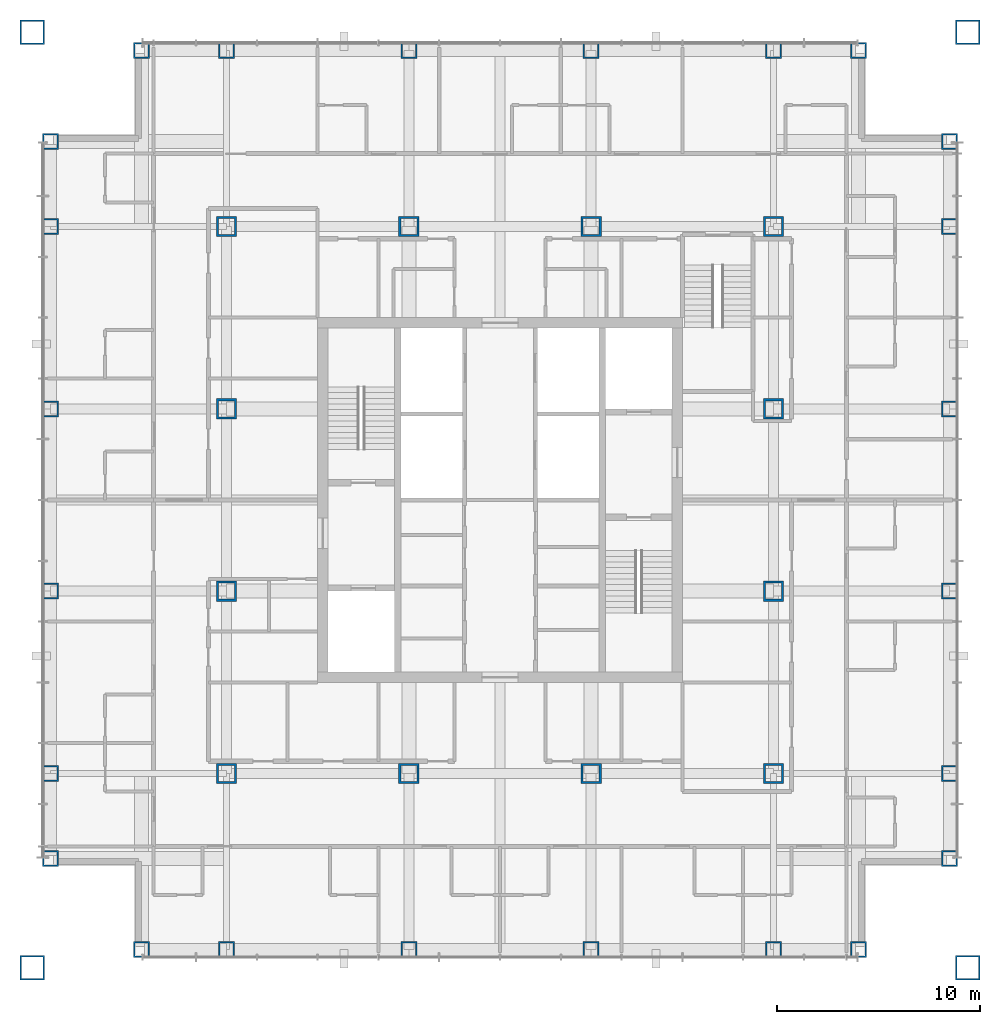
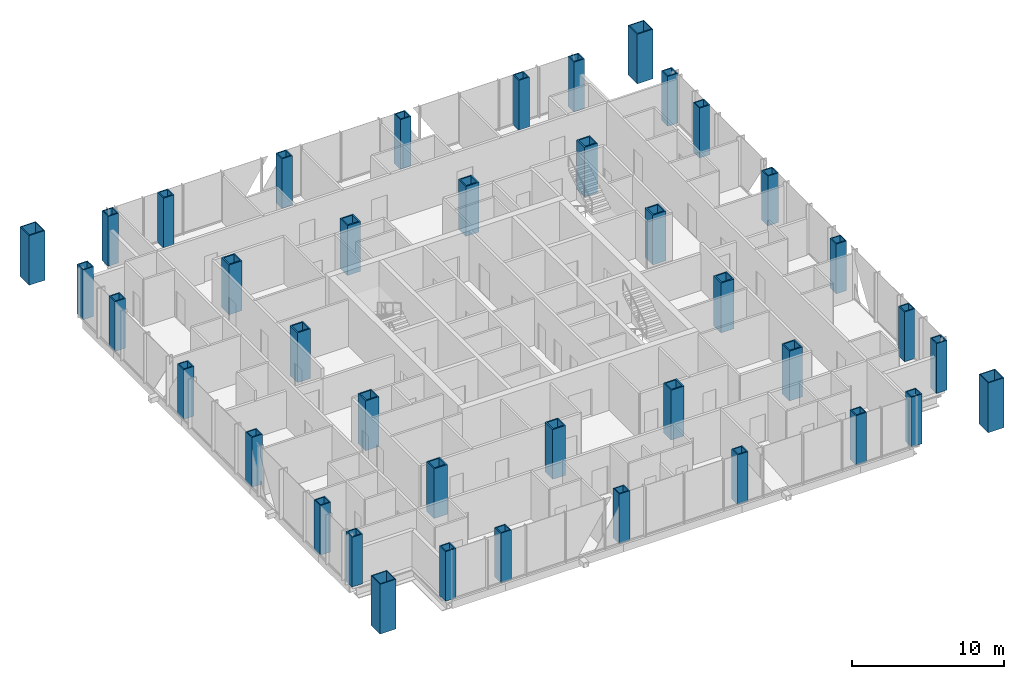
# One storey, part 1 of 20: 40 columns.
"""IFC4 building model written with IfcOpenShell, lengths in metres."""

from ifc_helpers import new_model, si_unit, direction, frame, origin, origin_2d, place, context, subcontext, project, spatial, hollow_rectangle, extrude, material, material_profile, profile_set, type_object, element, save


model = new_model("IFC4")

# Units and contexts
model_context = context("Model", 3, precision=1e-05, world=origin(), true_north=direction((0.0, 1.0)))
body_context = subcontext(model_context, "Body", "Model", "MODEL_VIEW")
ifc_project = project(units=[si_unit("LENGTHUNIT", "METRE"), si_unit("AREAUNIT", "SQUARE_METRE"), si_unit("VOLUMEUNIT", "CUBIC_METRE"), si_unit("PLANEANGLEUNIT", "RADIAN"), si_unit("MASSUNIT", "GRAM", prefix="KILO")], contexts=[model_context])

# Site, building, storey
site_placement = place(None, origin())
site = spatial("IfcSite", under=ifc_project, at=site_placement, CompositionType="ELEMENT")
building_placement = place(site_placement, origin())
building = spatial("IfcBuilding", under=site, at=building_placement, Name="Malebo Sky Hospital", CompositionType="ELEMENT")
storey_placement = place(building_placement, frame((0.0, 0.0, 233.0)))
storey = spatial("IfcBuildingStorey", under=building, at=storey_placement, Name="L56", CompositionType="ELEMENT", Elevation=233.0)

# Columns
ifc_material = material(Name="Steel S460", Category="steel")
ifc_material_profile_1 = material_profile(ifc_material, hollow_rectangle(XDim=1.0, YDim=1.0, WallThickness=0.10009765625, at=origin_2d()), Name="BOX 1000x1000x100")
ifc_profile_set_1 = profile_set([ifc_material_profile_1], Name="Steel S460")
column_type_1 = type_object("IfcColumnType", Name="INNER COLUMN BOX 1000x1000x100", PredefinedType="COLUMN", material=ifc_profile_set_1)
for number, where, z_axis, x_axis, name in (
    (1, (46.5, 48.5, 0.0), (0.0, 0.0, 1.0), (1.0, 0.0, 0.0), "Column IC9 L56"),
    (2, (73.5, 48.5, 0.0), (0.0, 0.0, 1.0), (1.0, 0.0, 0.0), "Column IC9 L56"),
    (3, (73.5, 75.5, 0.0), (0.0, 0.0, 1.0), (1.0, 0.0, 0.0), "Column IC9 L56"),
    (4, (46.5, 75.5, 0.0), (0.0, 0.0, 1.0), (1.0, 0.0, 0.0), "Column IC9 L56"),
    (5, (55.5, 48.5, 0.0), (0.0, 0.0, 1.0), (1.0, 0.0, 0.0), "Column IC9 L56"),
    (6, (64.5, 48.5, 0.0), (0.0, 0.0, 1.0), (1.0, 0.0, 0.0), "Column IC9 L56"),
    (7, (55.5, 75.5, 0.0), (0.0, 0.0, 1.0), (1.0, 0.0, 0.0), "Column IC9 L56"),
    (8, (64.5, 75.5, 0.0), (0.0, 0.0, 1.0), (1.0, 0.0, 0.0), "Column IC9 L56"),
    (9, (46.5, 57.5, 0.0), (0.0, 0.0, 1.0), (1.0, 0.0, 0.0), "Column IC9 L56"),
    (10, (46.5, 66.5, 0.0), (0.0, 0.0, 1.0), (1.0, 0.0, 0.0), "Column IC9 L56"),
    (11, (73.5, 57.5, 0.0), (0.0, 0.0, 1.0), (1.0, 0.0, 0.0), "Column IC9 L56"),
    (12, (73.5, 66.5, 0.0), (0.0, 0.0, 1.0), (1.0, 0.0, 0.0), "Column IC9 L56"),
):
    element("IfcColumn", number, at=place(storey_placement, frame(where, z_axis=z_axis, x_axis=x_axis)), inside=storey, type_object=column_type_1, Name=name, PredefinedType="COLUMN", context=body_context, shape_type="SweptSolid", body=[
        extrude(hollow_rectangle(XDim=1.0, YDim=1.0, WallThickness=0.10009765625, at=origin_2d()), origin(), (0.0, 0.0, 1.0), 4.0),
    ])
ifc_material_profile_2 = material_profile(ifc_material, hollow_rectangle(XDim=1.199951171875, YDim=1.199951171875, WallThickness=0.070068359375, at=origin_2d()), Name="BOX 1200x1200x70")
ifc_profile_set_2 = profile_set([ifc_material_profile_2], Name="Steel S460")
column_type_2 = type_object("IfcColumnType", Name="MEGA COLUMN BOX 1200x1200x70", PredefinedType="COLUMN", material=ifc_profile_set_2)
for number, where, z_axis, x_axis, name in (
    (13, (36.89990234375, 38.89990234375, 0.0), (0.0, 0.0, 1.0), (1.0, 0.0, 0.0), "Mega column SW L56"),
    (14, (83.10009765625, 38.89990234375, 0.0), (0.0, 0.0, 1.0), (1.0, 0.0, 0.0), "Mega column SE L56"),
    (15, (83.10009765625, 85.10009765625, 0.0), (0.0, 0.0, 1.0), (1.0, 0.0, 0.0), "Mega column NE L56"),
    (16, (36.89990234375, 85.10009765625, 0.0), (0.0, 0.0, 1.0), (1.0, 0.0, 0.0), "Mega column NW L56"),
):
    element("IfcColumn", number, at=place(storey_placement, frame(where, z_axis=z_axis, x_axis=x_axis)), inside=storey, type_object=column_type_2, Name=name, PredefinedType="COLUMN", context=body_context, shape_type="SweptSolid", body=[
        extrude(hollow_rectangle(XDim=1.199951171875, YDim=1.199951171875, WallThickness=0.070068359375, at=origin_2d()), origin(), (0.0, 0.0, 1.0), 4.0),
    ])
ifc_material_profile_3 = material_profile(ifc_material, hollow_rectangle(XDim=0.800048828125, YDim=0.800048828125, WallThickness=0.080078125, at=origin_2d()), Name="BOX 800x800x80")
ifc_profile_set_3 = profile_set([ifc_material_profile_3], Name="Steel S460")
column_type_3 = type_object("IfcColumnType", Name="PERIMETER COLUMN BOX 800x800x80", PredefinedType="COLUMN", material=ifc_profile_set_3)
for number, where, z_axis, x_axis, name in (
    (17, (42.300048828125, 39.800048828125, 0.0), (0.0, 0.0, 1.0), (1.0, 0.0, 0.0), "Column PC7 L56"),
    (18, (42.300048828125, 84.199951171875, 0.0), (0.0, 0.0, 1.0), (1.0, 0.0, 0.0), "Column PC7 L56"),
    (19, (37.800048828125, 44.300048828125, 0.0), (0.0, 0.0, 1.0), (1.0, 0.0, 0.0), "Column PC7 L56"),
    (20, (82.199951171875, 44.300048828125, 0.0), (0.0, 0.0, 1.0), (1.0, 0.0, 0.0), "Column PC7 L56"),
    (21, (46.5, 39.800048828125, 0.0), (0.0, 0.0, 1.0), (1.0, 0.0, 0.0), "Column PC7 L56"),
    (22, (46.5, 84.199951171875, 0.0), (0.0, 0.0, 1.0), (1.0, 0.0, 0.0), "Column PC7 L56"),
    (23, (37.800048828125, 48.5, 0.0), (0.0, 0.0, 1.0), (1.0, 0.0, 0.0), "Column PC7 L56"),
    (24, (82.199951171875, 48.5, 0.0), (0.0, 0.0, 1.0), (1.0, 0.0, 0.0), "Column PC7 L56"),
    (25, (55.5, 39.800048828125, 0.0), (0.0, 0.0, 1.0), (1.0, 0.0, 0.0), "Column PC7 L56"),
    (26, (55.5, 84.199951171875, 0.0), (0.0, 0.0, 1.0), (1.0, 0.0, 0.0), "Column PC7 L56"),
    (27, (37.800048828125, 57.5, 0.0), (0.0, 0.0, 1.0), (1.0, 0.0, 0.0), "Column PC7 L56"),
    (28, (82.199951171875, 57.5, 0.0), (0.0, 0.0, 1.0), (1.0, 0.0, 0.0), "Column PC7 L56"),
    (29, (64.5, 39.800048828125, 0.0), (0.0, 0.0, 1.0), (1.0, 0.0, 0.0), "Column PC7 L56"),
    (30, (64.5, 84.199951171875, 0.0), (0.0, 0.0, 1.0), (1.0, 0.0, 0.0), "Column PC7 L56"),
    (31, (37.800048828125, 66.5, 0.0), (0.0, 0.0, 1.0), (1.0, 0.0, 0.0), "Column PC7 L56"),
    (32, (82.199951171875, 66.5, 0.0), (0.0, 0.0, 1.0), (1.0, 0.0, 0.0), "Column PC7 L56"),
    (33, (73.5, 39.800048828125, 0.0), (0.0, 0.0, 1.0), (1.0, 0.0, 0.0), "Column PC7 L56"),
    (34, (73.5, 84.199951171875, 0.0), (0.0, 0.0, 1.0), (1.0, 0.0, 0.0), "Column PC7 L56"),
    (35, (37.800048828125, 75.5, 0.0), (0.0, 0.0, 1.0), (1.0, 0.0, 0.0), "Column PC7 L56"),
    (36, (82.199951171875, 75.5, 0.0), (0.0, 0.0, 1.0), (1.0, 0.0, 0.0), "Column PC7 L56"),
    (37, (77.699951171875, 39.800048828125, 0.0), (0.0, 0.0, 1.0), (1.0, 0.0, 0.0), "Column PC7 L56"),
    (38, (77.699951171875, 84.199951171875, 0.0), (0.0, 0.0, 1.0), (1.0, 0.0, 0.0), "Column PC7 L56"),
    (39, (37.800048828125, 79.699951171875, 0.0), (0.0, 0.0, 1.0), (1.0, 0.0, 0.0), "Column PC7 L56"),
    (40, (82.199951171875, 79.699951171875, 0.0), (0.0, 0.0, 1.0), (1.0, 0.0, 0.0), "Column PC7 L56"),
):
    element("IfcColumn", number, at=place(storey_placement, frame(where, z_axis=z_axis, x_axis=x_axis)), inside=storey, type_object=column_type_3, Name=name, PredefinedType="COLUMN", context=body_context, shape_type="SweptSolid", body=[
        extrude(hollow_rectangle(XDim=0.800048828125, YDim=0.800048828125, WallThickness=0.080078125, at=origin_2d()), origin(), (0.0, 0.0, 1.0), 4.0),
    ])

save(model, "model.ifc")
